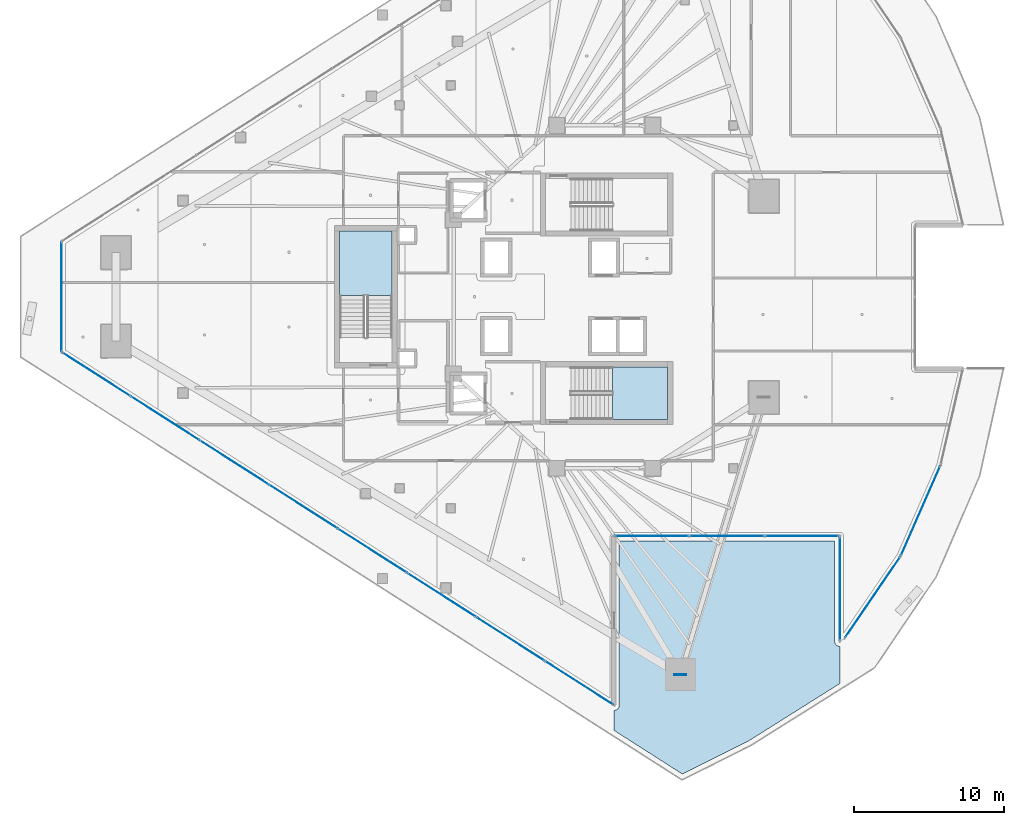
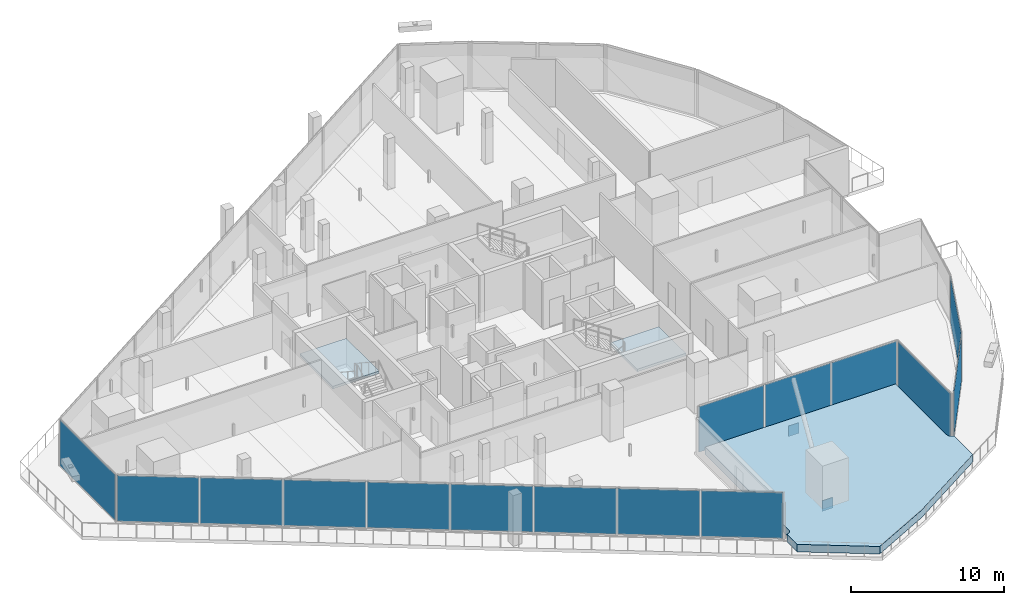
# One storey, part 24 of 39: 17 plates, 3 slabs, 8 elements without a shape of their own.
"""IFC4 building model written with IfcOpenShell, lengths in metres."""

from ifc_helpers import new_model, si_unit, direction, frame, origin, origin_2d, place, context, subcontext, project, spatial, polyline, rectangle, outline, extrude, material, layer, layer_set, type_object, element, aggregate, save


model = new_model("IFC4")

# Units and contexts
model_context = context("Model", 3, precision=1e-05, world=origin(), true_north=direction((0.0, 1.0)))
body_context = subcontext(model_context, "Body", "Model", "MODEL_VIEW")
ifc_project = project(units=[si_unit("LENGTHUNIT", "METRE"), si_unit("AREAUNIT", "SQUARE_METRE"), si_unit("VOLUMEUNIT", "CUBIC_METRE"), si_unit("PLANEANGLEUNIT", "RADIAN"), si_unit("MASSUNIT", "GRAM", prefix="KILO")], contexts=[model_context])

# Site, building, storey
site_placement = place(None, origin())
site = spatial("IfcSite", under=ifc_project, at=site_placement, CompositionType="ELEMENT")
building_placement = place(site_placement, origin())
building = spatial("IfcBuilding", under=site, at=building_placement, Name="Qorvath Tower", CompositionType="ELEMENT")
storey_placement = place(building_placement, frame((0.0, 0.0, 154.35009765625)))
storey = spatial("IfcBuildingStorey", under=building, at=storey_placement, Name="L35", CompositionType="ELEMENT", Elevation=154.35009765625)

# Curtain wall, plates
ifc_material_1 = material(Name="Anodised aluminium and triple low-E glass", Category="aluminium")
ifc_layer_1 = layer(ifc_material_1, 0.179931640625)
ifc_layer_set_1 = layer_set([ifc_layer_1], Name="CW-SYS-5")
curtain_wall_type = type_object("IfcCurtainWallType", Name="CW-SYS-5", PredefinedType="NOTDEFINED", material=ifc_layer_set_1)
curtain_wall_1_placement = place(storey_placement, origin())
curtain_wall_1 = element("IfcCurtainWall", 1, at=curtain_wall_1_placement, inside=storey, type_object=curtain_wall_type, Name="Curtain Wall CW-5 CW-T-L35-2.1", PredefinedType="NOTDEFINED")
ifc_material_2 = material(Name="Low-E triple insulated glass", Category="glass")
ifc_layer_2 = layer(ifc_material_2, 0.031982421875)
ifc_layer_set_2 = layer_set([ifc_layer_2], Name="CWP-GLZ-32")
plate_type_1 = type_object("IfcPlateType", Name="CWP-GLZ-32", PredefinedType="CURTAIN_PANEL", material=ifc_layer_set_2)
plate_1_placement = place(storey_placement, frame((-17.249267578125, -15.98388671875, 0.06494140625), z_axis=(0.0, 0.0, 1.0), x_axis=(1.0, 0.0, 0.0)))
plate_1 = element("IfcPlate", 2, at=plate_1_placement, type_object=plate_type_1, Name="CW-5 panel 1.1", PredefinedType="CURTAIN_PANEL", context=body_context, shape_type="SweptSolid", body=[
    extrude(rectangle(XDim=4.91943359375, YDim=0.031982421875, at=origin_2d()), origin(), (0.0, 0.0, 1.0), 3.64990234375),
])
plate_2_placement = place(storey_placement, frame((-12.23583984375, -15.98388671875, 0.06494140625), z_axis=(0.0, 0.0, 1.0), x_axis=(1.0, 0.0, 0.0)))
plate_2 = element("IfcPlate", 3, at=plate_2_placement, type_object=plate_type_1, Name="CW-5 panel 2.1", PredefinedType="CURTAIN_PANEL", context=body_context, shape_type="SweptSolid", body=[
    extrude(rectangle(XDim=4.95703125, YDim=0.031982421875, at=origin_2d()), origin(), (0.0, 0.0, 1.0), 3.64990234375),
])
plate_3_placement = place(storey_placement, frame((-7.22265625, -15.98388671875, 0.06494140625), z_axis=(0.0, 0.0, 1.0), x_axis=(1.0, 0.0, 0.0)))
plate_3 = element("IfcPlate", 4, at=plate_3_placement, type_object=plate_type_1, Name="CW-5 panel 3.1", PredefinedType="CURTAIN_PANEL", context=body_context, shape_type="SweptSolid", body=[
    extrude(rectangle(XDim=4.91943359375, YDim=0.031982421875, at=origin_2d()), origin(), (0.0, 0.0, 1.0), 3.64990234375),
])
aggregate(curtain_wall_1, [plate_1, plate_2, plate_3])

# Curtain wall, plate
curtain_wall_2_placement = place(storey_placement, origin())
curtain_wall_2 = element("IfcCurtainWall", 5, at=curtain_wall_2_placement, inside=storey, type_object=curtain_wall_type, Name="Curtain Wall CW-5 CW-T-L35-3.1", PredefinedType="NOTDEFINED")
plate_4_placement = place(storey_placement, frame((-4.68798828125, -19.498779296875, 0.06494140625), z_axis=(0.0, 0.0, 1.0), x_axis=(0.0, -1.0, 0.0)))
plate_4 = element("IfcPlate", 6, at=plate_4_placement, type_object=plate_type_1, Name="CW-5 panel 1.1", PredefinedType="CURTAIN_PANEL", context=body_context, shape_type="SweptSolid", body=[
    extrude(rectangle(XDim=6.8798828125, YDim=0.031982421875, at=origin_2d()), origin(), (0.0, 0.0, 1.0), 3.64990234375),
])
aggregate(curtain_wall_2, [plate_4])

curtain_wall_3_placement = place(storey_placement, origin())
curtain_wall_3 = element("IfcCurtainWall", 7, at=curtain_wall_3_placement, inside=storey, type_object=curtain_wall_type, Name="Curtain Wall CW-5 CW-T-L35-5.1", PredefinedType="NOTDEFINED")
plate_5_placement = place(storey_placement, frame((-2.500732421875, -20.07763671875, 0.06494140625), z_axis=(0.0, 0.0, 1.0), x_axis=(0.564284140416, 0.825580649528, 0.0)))
plate_5 = element("IfcPlate", 8, at=plate_5_placement, type_object=plate_type_1, Name="CW-5 panel 1.1", PredefinedType="CURTAIN_PANEL", context=body_context, shape_type="SweptSolid", body=[
    extrude(rectangle(XDim=6.48681640625, YDim=0.031982421875, at=origin_2d()), origin(), (0.0, 0.0, 1.0), 3.64990234375),
])
aggregate(curtain_wall_3, [plate_5])

curtain_wall_4_placement = place(storey_placement, origin())
curtain_wall_4 = element("IfcCurtainWall", 9, at=curtain_wall_4_placement, inside=storey, type_object=curtain_wall_type, Name="Curtain Wall CW-5 CW-T-L35-6.1", PredefinedType="NOTDEFINED")
plate_6_placement = place(storey_placement, frame((0.70556640625, -14.299560546875, 0.06494140625), z_axis=(0.0, 0.0, 1.0), x_axis=(0.401902246365, 0.91568257839, 0.0)))
plate_6 = element("IfcPlate", 10, at=plate_6_placement, type_object=plate_type_1, Name="CW-5 panel 1.1", PredefinedType="CURTAIN_PANEL", context=body_context, shape_type="SweptSolid", body=[
    extrude(rectangle(XDim=6.486572265625, YDim=0.031982421875, at=origin_2d()), origin(), (0.0, 0.0, 1.0), 3.64990234375),
])
aggregate(curtain_wall_4, [plate_6])

curtain_wall_5_placement = place(storey_placement, origin())
curtain_wall_5 = element("IfcCurtainWall", 11, at=curtain_wall_5_placement, inside=storey, type_object=curtain_wall_type, Name="Curtain Wall CW-5 CW-T-L35-17.1", PredefinedType="NOTDEFINED")
plate_7_placement = place(storey_placement, frame((-56.683837890625, 0.0, 0.06494140625), z_axis=(0.0, 0.0, 1.0), x_axis=(0.0, -1.0, 0.0)))
plate_7 = element("IfcPlate", 12, at=plate_7_placement, type_object=plate_type_1, Name="CW-5 panel 1.1", PredefinedType="CURTAIN_PANEL", context=body_context, shape_type="SweptSolid", body=[
    extrude(rectangle(XDim=7.256103515625, YDim=0.031982421875, at=origin_2d()), origin(), (0.0, 0.0, 1.0), 3.64990234375),
])
aggregate(curtain_wall_5, [plate_7])

# Curtain wall, plates
curtain_wall_6_placement = place(storey_placement, origin())
curtain_wall_6 = element("IfcCurtainWall", 13, at=curtain_wall_6_placement, inside=storey, type_object=curtain_wall_type, Name="Curtain Wall CW-5 CW-T-L35-18.1", PredefinedType="NOTDEFINED")
plate_8_placement = place(storey_placement, frame((-54.36181640625, -5.187255859375, 0.06494140625), z_axis=(0.0, 0.0, 1.0), x_axis=(0.842602343989, -0.538536247531, 0.0)))
plate_8 = element("IfcPlate", 14, at=plate_8_placement, type_object=plate_type_1, Name="CW-5 panel 1.1", PredefinedType="CURTAIN_PANEL", context=body_context, shape_type="SweptSolid", body=[
    extrude(rectangle(XDim=5.361572265625, YDim=0.031982421875, at=origin_2d()), origin(), (0.0, 0.0, 1.0), 3.64990234375),
])
plate_9_placement = place(storey_placement, frame((-49.76513671875, -8.125, 0.06494140625), z_axis=(0.0, 0.0, 1.0), x_axis=(0.842602343989, -0.538536247531, 0.0)))
plate_9 = element("IfcPlate", 15, at=plate_9_placement, type_object=plate_type_1, Name="CW-5 panel 2.1", PredefinedType="CURTAIN_PANEL", context=body_context, shape_type="SweptSolid", body=[
    extrude(rectangle(XDim=5.399169921875, YDim=0.031982421875, at=origin_2d()), origin(), (0.0, 0.0, 1.0), 3.64990234375),
])
plate_10_placement = place(storey_placement, frame((-45.152587890625, -11.072998046875, 0.06494140625), z_axis=(0.0, 0.0, 1.0), x_axis=(0.842602343989, -0.538536247531, 0.0)))
plate_10 = element("IfcPlate", 16, at=plate_10_placement, type_object=plate_type_1, Name="CW-5 panel 3.1", PredefinedType="CURTAIN_PANEL", context=body_context, shape_type="SweptSolid", body=[
    extrude(rectangle(XDim=5.399169921875, YDim=0.031982421875, at=origin_2d()), origin(), (0.0, 0.0, 1.0), 3.64990234375),
])
plate_11_placement = place(storey_placement, frame((-40.5400390625, -14.02099609375, 0.06494140625), z_axis=(0.0, 0.0, 1.0), x_axis=(0.842602343989, -0.538536247531, 0.0)))
plate_11 = element("IfcPlate", 17, at=plate_11_placement, type_object=plate_type_1, Name="CW-5 panel 4.1", PredefinedType="CURTAIN_PANEL", context=body_context, shape_type="SweptSolid", body=[
    extrude(rectangle(XDim=5.399169921875, YDim=0.031982421875, at=origin_2d()), origin(), (0.0, 0.0, 1.0), 3.64990234375),
])
plate_12_placement = place(storey_placement, frame((-35.927490234375, -16.968994140625, 0.06494140625), z_axis=(0.0, 0.0, 1.0), x_axis=(0.842602343989, -0.538536247531, 0.0)))
plate_12 = element("IfcPlate", 18, at=plate_12_placement, type_object=plate_type_1, Name="CW-5 panel 5.1", PredefinedType="CURTAIN_PANEL", context=body_context, shape_type="SweptSolid", body=[
    extrude(rectangle(XDim=5.399169921875, YDim=0.031982421875, at=origin_2d()), origin(), (0.0, 0.0, 1.0), 3.64990234375),
])
plate_13_placement = place(storey_placement, frame((-31.315185546875, -19.9169921875, 0.06494140625), z_axis=(0.0, 0.0, 1.0), x_axis=(0.842602343989, -0.538536247531, 0.0)))
plate_13 = element("IfcPlate", 19, at=plate_13_placement, type_object=plate_type_1, Name="CW-5 panel 6.1", PredefinedType="CURTAIN_PANEL", context=body_context, shape_type="SweptSolid", body=[
    extrude(rectangle(XDim=5.399169921875, YDim=0.031982421875, at=origin_2d()), origin(), (0.0, 0.0, 1.0), 3.64990234375),
])
plate_14_placement = place(storey_placement, frame((-26.70263671875, -22.864990234375, 0.06494140625), z_axis=(0.0, 0.0, 1.0), x_axis=(0.842602343989, -0.538536247531, 0.0)))
plate_14 = element("IfcPlate", 20, at=plate_14_placement, type_object=plate_type_1, Name="CW-5 panel 7.1", PredefinedType="CURTAIN_PANEL", context=body_context, shape_type="SweptSolid", body=[
    extrude(rectangle(XDim=5.399169921875, YDim=0.031982421875, at=origin_2d()), origin(), (0.0, 0.0, 1.0), 3.64990234375),
])
plate_15_placement = place(storey_placement, frame((-22.10595703125, -25.802978515625, 0.06494140625), z_axis=(0.0, 0.0, 1.0), x_axis=(0.842602343989, -0.538536247531, 0.0)))
plate_15 = element("IfcPlate", 21, at=plate_15_placement, type_object=plate_type_1, Name="CW-5 panel 8.1", PredefinedType="CURTAIN_PANEL", context=body_context, shape_type="SweptSolid", body=[
    extrude(rectangle(XDim=5.361572265625, YDim=0.031982421875, at=origin_2d()), origin(), (0.0, 0.0, 1.0), 3.64990234375),
])
aggregate(curtain_wall_6, [plate_8, plate_9, plate_10, plate_11, plate_12, plate_13, plate_14, plate_15])

# Plates
ifc_material_3 = material(Name="Steel ASTM A572 Grade 50", Category="steel")
ifc_layer_3 = layer(ifc_material_3, 0.054931640625)
ifc_layer_set_3 = layer_set([ifc_layer_3], Name="PL-MBN1")
plate_type_2 = type_object("IfcPlateType", Name="PL-MBN1", PredefinedType="USERDEFINED", material=ifc_layer_set_3)
for number, where, z_axis, x_axis, name in (
    (22, (-12.55712890625, -15.983642578125, -1.045166015625), (0.0, 0.0, 1.0), (1.0, 0.0, 0.0), "Brace Strut End Gusset Plate NDBG-137"),
    (23, (-15.34423828125, -25.24609375, -0.425048828125), (0.0, 0.0, 1.0), (1.0, 0.0, 0.0), "Brace Strut End Gusset Plate NDBG-139"),
):
    element("IfcPlate", number, at=place(storey_placement, frame(where, z_axis=z_axis, x_axis=x_axis)), inside=storey, type_object=plate_type_2, Name=name, ObjectType="GUSSET", PredefinedType="USERDEFINED", context=body_context, shape_type="SweptSolid", body=[
        extrude(rectangle(XDim=0.800048828125, YDim=0.054931640625, at=origin_2d()), origin(), (0.0, 0.0, 1.0), 0.85009765625),
    ])

# Stair, slab
ifc_material_4 = material(Name="Concrete C50/60", Category="concrete")
stair_type = type_object("IfcStairType", Name="ST-H405", PredefinedType="HALF_TURN_STAIR", material=ifc_material_4)
stair_1_placement = place(storey_placement, origin())
stair_1 = element("IfcStair", 24, at=stair_1_placement, inside=storey, type_object=stair_type, Name="L35 Tower Exit Stair 2", PredefinedType="HALF_TURN_STAIR")
ifc_material_5 = material(Name="Concrete C50/60", Category="concrete")
ifc_layer_4 = layer(ifc_material_5, 0.199951171875)
ifc_layer_set_4 = layer_set([ifc_layer_4], Name="SL-LND-200")
slab_type_1 = type_object("IfcSlabType", Name="SL-LND-200", PredefinedType="LANDING", material=ifc_layer_set_4)
slab_1_placement = place(storey_placement, frame((0.0, 0.0, 1.824951171875)))
slab_1 = element("IfcSlab", 25, at=slab_1_placement, type_object=slab_type_1, Name="TS2 landing 1", PredefinedType="LANDING", context=body_context, shape_type="SweptSolid", body=[
    extrude(outline(polyline([(-19.8701171875, -8.199951171875), (-16.199951171875, -8.199951171875), (-16.199951171875, -4.68994140625), (-19.8701171875, -4.68994140625), (-19.8701171875, -8.199951171875)])), origin(), (0.0, 0.0, 1.0), 0.199951171875),
])
aggregate(stair_1, [slab_1])

stair_2_placement = place(storey_placement, origin())
stair_2 = element("IfcStair", 26, at=stair_2_placement, inside=storey, type_object=stair_type, Name="L35 Tower Exit Stair 3", PredefinedType="HALF_TURN_STAIR")
slab_2_placement = place(storey_placement, frame((0.0, 0.0, 1.824951171875)))
slab_2 = element("IfcSlab", 27, at=slab_2_placement, type_object=slab_type_1, Name="TS3 landing 1", PredefinedType="LANDING", context=body_context, shape_type="SweptSolid", body=[
    extrude(outline(polyline([(-34.60009765625, 0.080078125), (-34.60009765625, 4.39990234375), (-38.110107421875, 4.39990234375), (-38.110107421875, 0.080078125), (-34.60009765625, 0.080078125)])), origin(), (0.0, 0.0, 1.0), 0.199951171875),
])
aggregate(stair_2, [slab_2])

# Slab
ifc_material_6 = material(Name="Precast concrete C45/55", Category="concrete")
ifc_layer_5 = layer(ifc_material_6, 0.60009765625)
ifc_layer_set_5 = layer_set([ifc_layer_5], Name="SL-PLN-600")
slab_type_2 = type_object("IfcSlabType", Name="SL-PLN-600", PredefinedType="USERDEFINED", material=ifc_layer_set_5)
slab_3_placement = place(storey_placement, origin())
element("IfcSlab", 28, at=slab_3_placement, inside=storey, type_object=slab_type_2, Name="Sky Garden Planted Bed PLANTER L35", ObjectType="PLANTER", PredefinedType="USERDEFINED", context=body_context, shape_type="SweptSolid", body=[
    extrude(outline(polyline([(-19.783935546875, -28.971435546875), (-15.21435546875, -31.89208984375), (-10.793701171875, -29.681884765625), (-4.68798828125, -25.841796875), (-4.68798828125, -23.363525390625), (-4.729736328125, -23.361328125), (-4.76318359375, -23.355712890625), (-4.827392578125, -23.334716796875), (-4.886474609375, -23.302001953125), (-4.938232421875, -23.258544921875), (-4.980712890625, -23.205810546875), (-5.01220703125, -23.14599609375), (-5.031494140625, -23.0810546875), (-5.0380859375, -23.013671875), (-5.0380859375, -16.333984375), (-19.43408203125, -16.333984375), (-19.43408203125, -27.287109375), (-19.440673828125, -27.354736328125), (-19.460205078125, -27.419677734375), (-19.491943359375, -27.479736328125), (-19.53466796875, -27.53271484375), (-19.5869140625, -27.576171875), (-19.646484375, -27.60888671875), (-19.711181640625, -27.62939453125), (-19.744873046875, -27.634765625), (-19.783935546875, -27.63671875), (-19.783935546875, -28.971435546875)])), origin(), (0.0, 0.0, 1.0), 0.599853515625),
])

save(model, "model.ifc")
